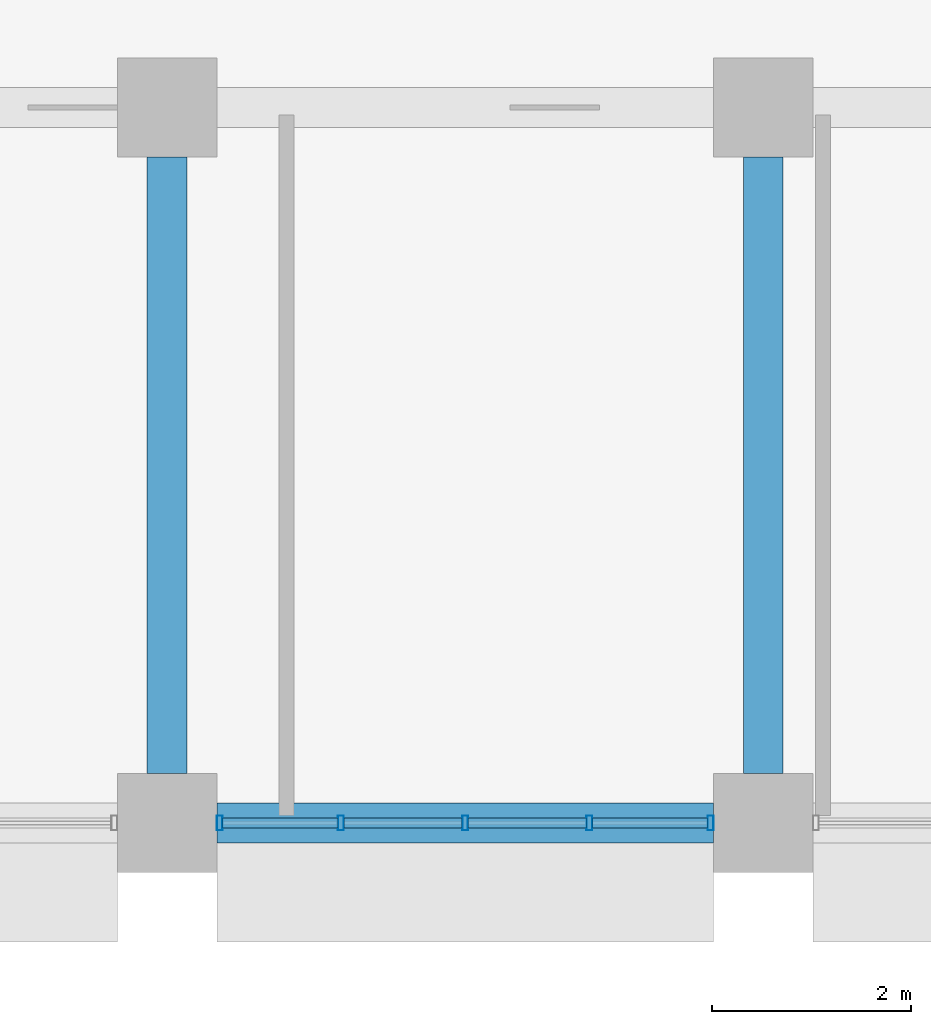
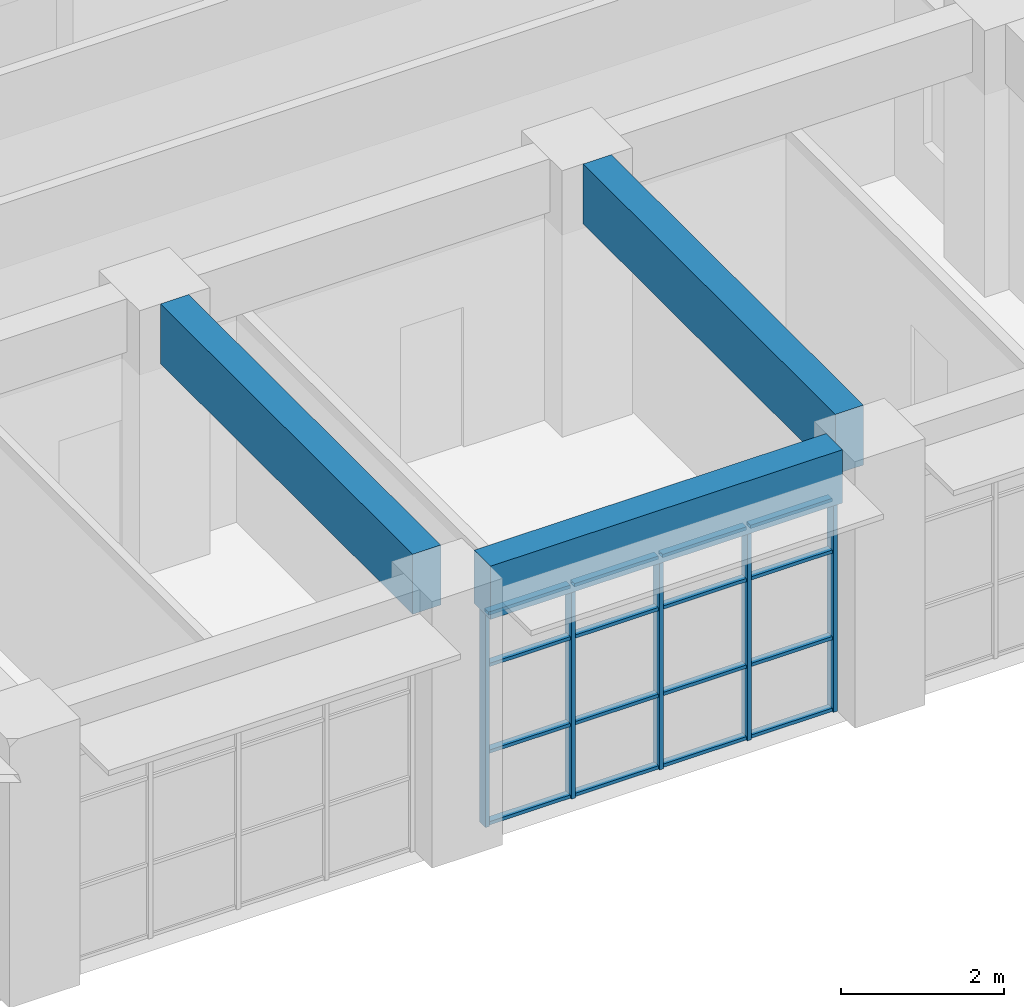
# One storey, part 48 of 101: 21 members, 3 beams, 1 element without a shape of its own.
"""IFC4 building model written with IfcOpenShell, lengths in metres."""

from ifc_helpers import new_model, si_unit, direction, frame, origin, origin_2d, place, context, subcontext, project, spatial, rectangle, hollow_rectangle, extrude, material, material_profile, profile_set, type_object, element, aggregate, save


model = new_model("IFC4")

# Units and contexts
model_context = context("Model", 3, precision=1e-05, world=origin(), true_north=direction((0.0, 1.0)))
body_context = subcontext(model_context, "Body", "Model", "MODEL_VIEW")
ifc_project = project(units=[si_unit("LENGTHUNIT", "METRE"), si_unit("AREAUNIT", "SQUARE_METRE"), si_unit("VOLUMEUNIT", "CUBIC_METRE"), si_unit("PLANEANGLEUNIT", "RADIAN"), si_unit("MASSUNIT", "GRAM", prefix="KILO")], contexts=[model_context])

# Site, building, storey
site_placement = place(None, origin())
site = spatial("IfcSite", under=ifc_project, at=site_placement, CompositionType="ELEMENT")
building_placement = place(site_placement, origin())
building = spatial("IfcBuilding", under=site, at=building_placement, Name="Laocheng Heights Fire and Rescue Headquarters", CompositionType="ELEMENT")
storey_placement = place(building_placement, frame((0.0, 0.0, 8.39990234375)))
storey = spatial("IfcBuildingStorey", under=building, at=storey_placement, Name="L02", CompositionType="ELEMENT", Elevation=8.39990234375)

# Curtain wall, members
ifc_material_1 = material(Name="Dark anodised aluminium unitised curtain wall, low-e double glazing", Category="aluminium")
curtain_wall_type = type_object("IfcCurtainWallType", Name="CW 5000 x 3200 HQ SOUTH RIBBON", PredefinedType="NOTDEFINED", material=ifc_material_1)
curtain_wall_placement = place(storey_placement, origin())
curtain_wall = element("IfcCurtainWall", 1, at=curtain_wall_placement, inside=storey, type_object=curtain_wall_type, Name="X10-X HQ SOUTH L02", PredefinedType="NOTDEFINED")
ifc_material_2 = material(Name="Dark anodised aluminium 6063-T5 extrusion", Category="aluminium")
ifc_material_profile_1 = material_profile(ifc_material_2, hollow_rectangle(XDim=0.14990234375, YDim=0.06005859375, WallThickness=0.0029296875, at=origin_2d()), Name="AL MULLION 150x60x3 HQ SOUTH RIBBON")
ifc_profile_set_1 = profile_set([ifc_material_profile_1], Name="Dark anodised aluminium 6063-T5 extrusion")
member_type_1 = type_object("IfcMemberType", Name="AL MULLION 150x60x3 HQ SOUTH RIBBON", PredefinedType="MULLION", material=ifc_profile_set_1)
member_1_placement = place(storey_placement, frame((72.530029296875, 50.39990234375, 0.0), z_axis=(0.0, 0.0, 1.0), x_axis=(0.0, 1.0, 0.0)))
member_1 = element("IfcMember", 2, at=member_1_placement, type_object=member_type_1, Name="X10-X mullion 1", PredefinedType="MULLION", context=body_context, shape_type="SweptSolid", body=[
    extrude(hollow_rectangle(XDim=0.14990234375, YDim=0.06005859375, WallThickness=0.0029296875, at=origin_2d()), origin(), (0.0, 0.0, 1.0), 3.2001953125),
])
member_2_placement = place(storey_placement, frame((73.75, 50.39990234375, 0.0), z_axis=(0.0, 0.0, 1.0), x_axis=(0.0, 1.0, 0.0)))
member_2 = element("IfcMember", 3, at=member_2_placement, type_object=member_type_1, Name="X10-X mullion 2", PredefinedType="MULLION", context=body_context, shape_type="SweptSolid", body=[
    extrude(hollow_rectangle(XDim=0.14990234375, YDim=0.06005859375, WallThickness=0.0029296875, at=origin_2d()), origin(), (0.0, 0.0, 1.0), 3.2001953125),
])
member_3_placement = place(storey_placement, frame((75.0, 50.39990234375, 0.0), z_axis=(0.0, 0.0, 1.0), x_axis=(0.0, 1.0, 0.0)))
member_3 = element("IfcMember", 4, at=member_3_placement, type_object=member_type_1, Name="X10-X mullion 3", PredefinedType="MULLION", context=body_context, shape_type="SweptSolid", body=[
    extrude(hollow_rectangle(XDim=0.14990234375, YDim=0.06005859375, WallThickness=0.0029296875, at=origin_2d()), origin(), (0.0, 0.0, 1.0), 3.2001953125),
])
member_4_placement = place(storey_placement, frame((76.25, 50.39990234375, 0.0), z_axis=(0.0, 0.0, 1.0), x_axis=(0.0, 1.0, 0.0)))
member_4 = element("IfcMember", 5, at=member_4_placement, type_object=member_type_1, Name="X10-X mullion 4", PredefinedType="MULLION", context=body_context, shape_type="SweptSolid", body=[
    extrude(hollow_rectangle(XDim=0.14990234375, YDim=0.06005859375, WallThickness=0.0029296875, at=origin_2d()), origin(), (0.0, 0.0, 1.0), 3.2001953125),
])
member_5_placement = place(storey_placement, frame((77.469970703125, 50.39990234375, 0.0), z_axis=(0.0, 0.0, 1.0), x_axis=(0.0, 1.0, 0.0)))
member_5 = element("IfcMember", 6, at=member_5_placement, type_object=member_type_1, Name="X10-X mullion 5", PredefinedType="MULLION", context=body_context, shape_type="SweptSolid", body=[
    extrude(hollow_rectangle(XDim=0.14990234375, YDim=0.06005859375, WallThickness=0.0029296875, at=origin_2d()), origin(), (0.0, 0.0, 1.0), 3.2001953125),
])
ifc_material_3 = material(Name="Dark anodised aluminium 6063-T5 extrusion", Category="aluminium")
ifc_material_profile_2 = material_profile(ifc_material_3, hollow_rectangle(XDim=0.10009765625, YDim=0.050048828125, WallThickness=0.0029296875, at=origin_2d()), Name="AL TRANSOM 100x50x3 HQ SOUTH RIBBON")
ifc_profile_set_2 = profile_set([ifc_material_profile_2], Name="Dark anodised aluminium 6063-T5 extrusion")
member_type_2 = type_object("IfcMemberType", Name="AL TRANSOM 100x50x3 HQ SOUTH RIBBON", PredefinedType="USERDEFINED", material=ifc_profile_set_2)
member_6_placement = place(storey_placement, frame((72.56005859375, 50.39990234375, 0.025146484375), z_axis=(1.0, 0.0, 0.0), x_axis=(0.0, 1.0, 0.0)))
member_6 = element("IfcMember", 7, at=member_6_placement, type_object=member_type_2, Name="X10-X transom 1.1", ObjectType="TRANSOM", PredefinedType="USERDEFINED", context=body_context, shape_type="SweptSolid", body=[
    extrude(hollow_rectangle(XDim=0.10009765625, YDim=0.050048828125, WallThickness=0.0029296875, at=origin_2d()), origin(), (0.0, 0.0, 1.0), 1.159912109375),
])
member_7_placement = place(storey_placement, frame((72.56005859375, 50.39990234375, 1.10009765625), z_axis=(1.0, 0.0, 0.0), x_axis=(0.0, 1.0, 0.0)))
member_7 = element("IfcMember", 8, at=member_7_placement, type_object=member_type_2, Name="X10-X transom 1.2", ObjectType="TRANSOM", PredefinedType="USERDEFINED", context=body_context, shape_type="SweptSolid", body=[
    extrude(hollow_rectangle(XDim=0.10009765625, YDim=0.050048828125, WallThickness=0.0029296875, at=origin_2d()), origin(), (0.0, 0.0, 1.0), 1.159912109375),
])
member_8_placement = place(storey_placement, frame((72.56005859375, 50.39990234375, 2.400146484375), z_axis=(1.0, 0.0, 0.0), x_axis=(0.0, 1.0, 0.0)))
member_8 = element("IfcMember", 9, at=member_8_placement, type_object=member_type_2, Name="X10-X transom 1.3", ObjectType="TRANSOM", PredefinedType="USERDEFINED", context=body_context, shape_type="SweptSolid", body=[
    extrude(hollow_rectangle(XDim=0.10009765625, YDim=0.050048828125, WallThickness=0.0029296875, at=origin_2d()), origin(), (0.0, 0.0, 1.0), 1.159912109375),
])
member_9_placement = place(storey_placement, frame((72.56005859375, 50.39990234375, 3.175048828125), z_axis=(1.0, 0.0, 0.0), x_axis=(0.0, 1.0, 0.0)))
member_9 = element("IfcMember", 10, at=member_9_placement, type_object=member_type_2, Name="X10-X transom 1.4", ObjectType="TRANSOM", PredefinedType="USERDEFINED", context=body_context, shape_type="SweptSolid", body=[
    extrude(hollow_rectangle(XDim=0.10009765625, YDim=0.050048828125, WallThickness=0.0029296875, at=origin_2d()), origin(), (0.0, 0.0, 1.0), 1.159912109375),
])
member_10_placement = place(storey_placement, frame((73.780029296875, 50.39990234375, 0.025146484375), z_axis=(1.0, 0.0, 0.0), x_axis=(0.0, 1.0, 0.0)))
member_10 = element("IfcMember", 11, at=member_10_placement, type_object=member_type_2, Name="X10-X transom 2.1", ObjectType="TRANSOM", PredefinedType="USERDEFINED", context=body_context, shape_type="SweptSolid", body=[
    extrude(hollow_rectangle(XDim=0.10009765625, YDim=0.050048828125, WallThickness=0.0029296875, at=origin_2d()), origin(), (0.0, 0.0, 1.0), 1.18994140625),
])
member_11_placement = place(storey_placement, frame((73.780029296875, 50.39990234375, 1.10009765625), z_axis=(1.0, 0.0, 0.0), x_axis=(0.0, 1.0, 0.0)))
member_11 = element("IfcMember", 12, at=member_11_placement, type_object=member_type_2, Name="X10-X transom 2.2", ObjectType="TRANSOM", PredefinedType="USERDEFINED", context=body_context, shape_type="SweptSolid", body=[
    extrude(hollow_rectangle(XDim=0.10009765625, YDim=0.050048828125, WallThickness=0.0029296875, at=origin_2d()), origin(), (0.0, 0.0, 1.0), 1.18994140625),
])
member_12_placement = place(storey_placement, frame((73.780029296875, 50.39990234375, 2.400146484375), z_axis=(1.0, 0.0, 0.0), x_axis=(0.0, 1.0, 0.0)))
member_12 = element("IfcMember", 13, at=member_12_placement, type_object=member_type_2, Name="X10-X transom 2.3", ObjectType="TRANSOM", PredefinedType="USERDEFINED", context=body_context, shape_type="SweptSolid", body=[
    extrude(hollow_rectangle(XDim=0.10009765625, YDim=0.050048828125, WallThickness=0.0029296875, at=origin_2d()), origin(), (0.0, 0.0, 1.0), 1.18994140625),
])
member_13_placement = place(storey_placement, frame((73.780029296875, 50.39990234375, 3.175048828125), z_axis=(1.0, 0.0, 0.0), x_axis=(0.0, 1.0, 0.0)))
member_13 = element("IfcMember", 14, at=member_13_placement, type_object=member_type_2, Name="X10-X transom 2.4", ObjectType="TRANSOM", PredefinedType="USERDEFINED", context=body_context, shape_type="SweptSolid", body=[
    extrude(hollow_rectangle(XDim=0.10009765625, YDim=0.050048828125, WallThickness=0.0029296875, at=origin_2d()), origin(), (0.0, 0.0, 1.0), 1.18994140625),
])
member_14_placement = place(storey_placement, frame((75.030029296875, 50.39990234375, 0.025146484375), z_axis=(1.0, 0.0, 0.0), x_axis=(0.0, 1.0, 0.0)))
member_14 = element("IfcMember", 15, at=member_14_placement, type_object=member_type_2, Name="X10-X transom 3.1", ObjectType="TRANSOM", PredefinedType="USERDEFINED", context=body_context, shape_type="SweptSolid", body=[
    extrude(hollow_rectangle(XDim=0.10009765625, YDim=0.050048828125, WallThickness=0.0029296875, at=origin_2d()), origin(), (0.0, 0.0, 1.0), 1.18994140625),
])
member_15_placement = place(storey_placement, frame((75.030029296875, 50.39990234375, 1.10009765625), z_axis=(1.0, 0.0, 0.0), x_axis=(0.0, 1.0, 0.0)))
member_15 = element("IfcMember", 16, at=member_15_placement, type_object=member_type_2, Name="X10-X transom 3.2", ObjectType="TRANSOM", PredefinedType="USERDEFINED", context=body_context, shape_type="SweptSolid", body=[
    extrude(hollow_rectangle(XDim=0.10009765625, YDim=0.050048828125, WallThickness=0.0029296875, at=origin_2d()), origin(), (0.0, 0.0, 1.0), 1.18994140625),
])
member_16_placement = place(storey_placement, frame((75.030029296875, 50.39990234375, 2.400146484375), z_axis=(1.0, 0.0, 0.0), x_axis=(0.0, 1.0, 0.0)))
member_16 = element("IfcMember", 17, at=member_16_placement, type_object=member_type_2, Name="X10-X transom 3.3", ObjectType="TRANSOM", PredefinedType="USERDEFINED", context=body_context, shape_type="SweptSolid", body=[
    extrude(hollow_rectangle(XDim=0.10009765625, YDim=0.050048828125, WallThickness=0.0029296875, at=origin_2d()), origin(), (0.0, 0.0, 1.0), 1.18994140625),
])
member_17_placement = place(storey_placement, frame((75.030029296875, 50.39990234375, 3.175048828125), z_axis=(1.0, 0.0, 0.0), x_axis=(0.0, 1.0, 0.0)))
member_17 = element("IfcMember", 18, at=member_17_placement, type_object=member_type_2, Name="X10-X transom 3.4", ObjectType="TRANSOM", PredefinedType="USERDEFINED", context=body_context, shape_type="SweptSolid", body=[
    extrude(hollow_rectangle(XDim=0.10009765625, YDim=0.050048828125, WallThickness=0.0029296875, at=origin_2d()), origin(), (0.0, 0.0, 1.0), 1.18994140625),
])
member_18_placement = place(storey_placement, frame((76.280029296875, 50.39990234375, 0.025146484375), z_axis=(1.0, 0.0, 0.0), x_axis=(0.0, 1.0, 0.0)))
member_18 = element("IfcMember", 19, at=member_18_placement, type_object=member_type_2, Name="X10-X transom 4.1", ObjectType="TRANSOM", PredefinedType="USERDEFINED", context=body_context, shape_type="SweptSolid", body=[
    extrude(hollow_rectangle(XDim=0.10009765625, YDim=0.050048828125, WallThickness=0.0029296875, at=origin_2d()), origin(), (0.0, 0.0, 1.0), 1.159912109375),
])
member_19_placement = place(storey_placement, frame((76.280029296875, 50.39990234375, 1.10009765625), z_axis=(1.0, 0.0, 0.0), x_axis=(0.0, 1.0, 0.0)))
member_19 = element("IfcMember", 20, at=member_19_placement, type_object=member_type_2, Name="X10-X transom 4.2", ObjectType="TRANSOM", PredefinedType="USERDEFINED", context=body_context, shape_type="SweptSolid", body=[
    extrude(hollow_rectangle(XDim=0.10009765625, YDim=0.050048828125, WallThickness=0.0029296875, at=origin_2d()), origin(), (0.0, 0.0, 1.0), 1.159912109375),
])
member_20_placement = place(storey_placement, frame((76.280029296875, 50.39990234375, 2.400146484375), z_axis=(1.0, 0.0, 0.0), x_axis=(0.0, 1.0, 0.0)))
member_20 = element("IfcMember", 21, at=member_20_placement, type_object=member_type_2, Name="X10-X transom 4.3", ObjectType="TRANSOM", PredefinedType="USERDEFINED", context=body_context, shape_type="SweptSolid", body=[
    extrude(hollow_rectangle(XDim=0.10009765625, YDim=0.050048828125, WallThickness=0.0029296875, at=origin_2d()), origin(), (0.0, 0.0, 1.0), 1.159912109375),
])
member_21_placement = place(storey_placement, frame((76.280029296875, 50.39990234375, 3.175048828125), z_axis=(1.0, 0.0, 0.0), x_axis=(0.0, 1.0, 0.0)))
member_21 = element("IfcMember", 22, at=member_21_placement, type_object=member_type_2, Name="X10-X transom 4.4", ObjectType="TRANSOM", PredefinedType="USERDEFINED", context=body_context, shape_type="SweptSolid", body=[
    extrude(hollow_rectangle(XDim=0.10009765625, YDim=0.050048828125, WallThickness=0.0029296875, at=origin_2d()), origin(), (0.0, 0.0, 1.0), 1.159912109375),
])
aggregate(curtain_wall, [member_1, member_2, member_3, member_4, member_5, member_6, member_7, member_8, member_9, member_10, member_11, member_12, member_13, member_14, member_15, member_16, member_17, member_18, member_19, member_20, member_21])

# Beams
ifc_material_4 = material(Name="Concrete C40", Category="concrete")
ifc_material_profile_3 = material_profile(ifc_material_4, rectangle(XDim=0.39990234375, YDim=0.800048828125, at=origin_2d()), Name="RC BEAM 400x800 HQ")
ifc_profile_set_3 = profile_set([ifc_material_profile_3], Name="Concrete C40")
beam_type_1 = type_object("IfcBeamType", Name="RC BEAM 400x800 HQ", PredefinedType="BEAM", material=ifc_profile_set_3)
beam_placement = place(storey_placement, frame((72.5, 50.39990234375, 3.60009765625), z_axis=(1.0, 0.0, 0.0), x_axis=(0.0, 1.0, 0.0)))
element("IfcBeam", 23, at=beam_placement, inside=storey, type_object=beam_type_1, Name="HQ beam L02", PredefinedType="BEAM", context=body_context, shape_type="SweptSolid", body=[
    extrude(rectangle(XDim=0.39990234375, YDim=0.800048828125, at=origin_2d()), origin(), (0.0, 0.0, 1.0), 5.0),
])
ifc_material_5 = material(Name="Concrete C40", Category="concrete")
ifc_material_profile_4 = material_profile(ifc_material_5, rectangle(XDim=0.39990234375, YDim=0.89990234375, at=origin_2d()), Name="RC BEAM 400x900 HQ")
ifc_profile_set_4 = profile_set([ifc_material_profile_4], Name="Concrete C40")
beam_type_2 = type_object("IfcBeamType", Name="RC BEAM 400x900 HQ", PredefinedType="BEAM", material=ifc_profile_set_4)
for number, where, z_axis, x_axis, name in (
    (24, (72.0, 50.89990234375, 3.550048828125), (0.0, 1.0, 0.0), (-1.0, 0.0, 0.0), "HQ beam L02"),
    (25, (78.0, 50.89990234375, 3.550048828125), (0.0, 1.0, 0.0), (-1.0, 0.0, 0.0), "HQ beam L02"),
):
    element("IfcBeam", number, at=place(storey_placement, frame(where, z_axis=z_axis, x_axis=x_axis)), inside=storey, type_object=beam_type_2, Name=name, PredefinedType="BEAM", context=body_context, shape_type="SweptSolid", body=[
        extrude(rectangle(XDim=0.39990234375, YDim=0.89990234375, at=origin_2d()), origin(), (0.0, 0.0, 1.0), 6.2001953125),
    ])

save(model, "model.ifc")
